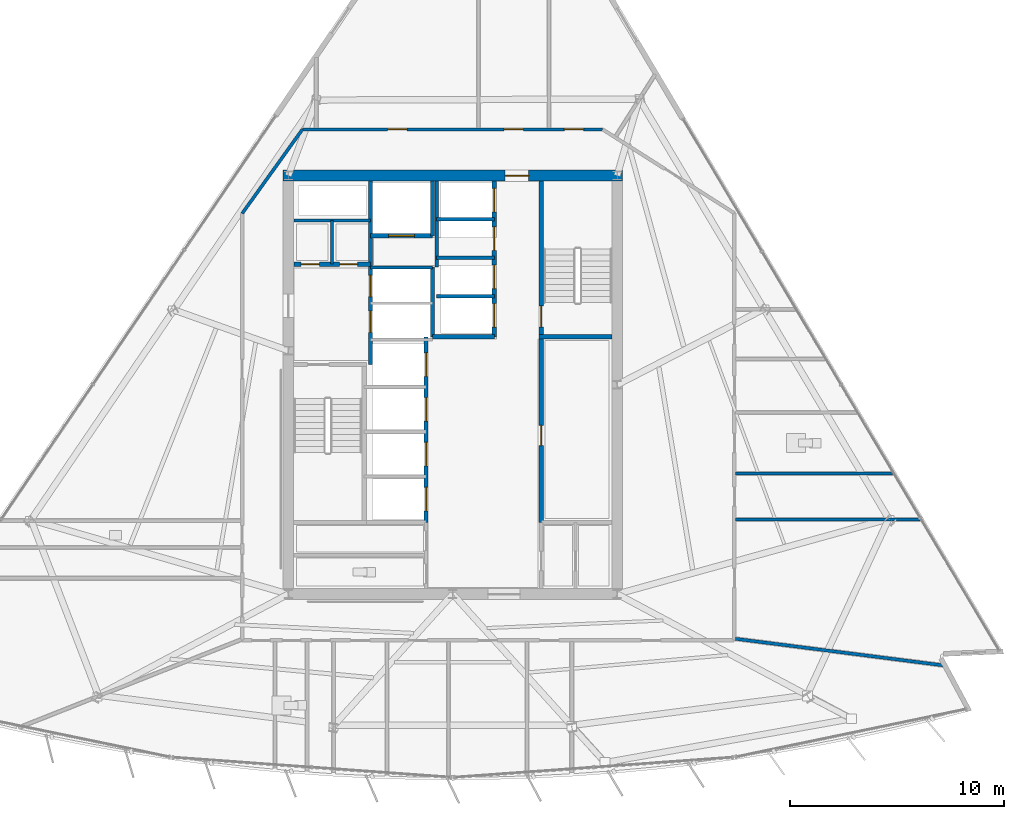
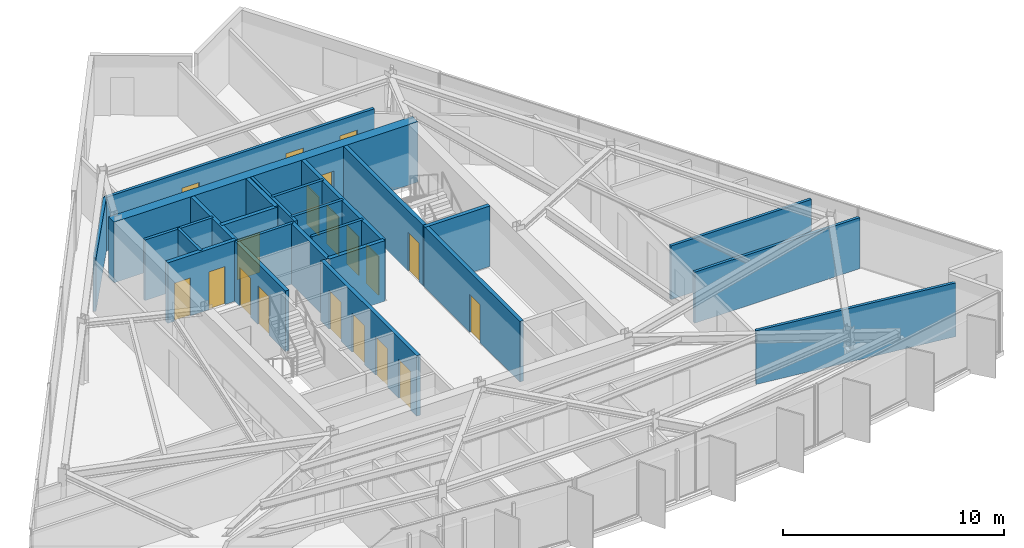
# One storey, part 9 of 15: 24 walls, 19 doors, 19 openings.
"""IFC4 building model written with IfcOpenShell, lengths in metres."""

from ifc_helpers import new_model, si_unit, direction, frame, frame_2d, origin, place, context, subcontext, project, spatial, rectangle, extrude, material, layer, layer_set, type_object, element, fill, save


model = new_model("IFC4")

# Units and contexts
model_context = context("Model", 3, precision=1e-05, world=origin(), true_north=direction((0.0, 1.0)))
body_context = subcontext(model_context, "Body", "Model", "MODEL_VIEW")
ifc_project = project(units=[si_unit("LENGTHUNIT", "METRE"), si_unit("AREAUNIT", "SQUARE_METRE"), si_unit("VOLUMEUNIT", "CUBIC_METRE"), si_unit("PLANEANGLEUNIT", "RADIAN"), si_unit("MASSUNIT", "GRAM", prefix="KILO")], contexts=[model_context])

# Site, building, storey
site_placement = place(None, origin())
site = spatial("IfcSite", under=ifc_project, at=site_placement, CompositionType="ELEMENT")
building_placement = place(site_placement, origin())
building = spatial("IfcBuilding", under=site, at=building_placement, Name="Savorim Split Tower", CompositionType="ELEMENT")
storey_placement = place(building_placement, frame((0.0, 0.0, 212.699951171875)))
storey = spatial("IfcBuildingStorey", under=building, at=storey_placement, Name="L56", CompositionType="ELEMENT", Elevation=212.699951171875)

# Wall, opening, door
ifc_material_1 = material(Name="Concrete C60/75", Category="concrete")
ifc_layer_1 = layer(ifc_material_1, 0.5)
ifc_layer_set_1 = layer_set([ifc_layer_1], Name="WAL-COR-SH500")
wall_type_1 = type_object("IfcWallType", Name="WAL-COR-SH500", PredefinedType="SHEAR", material=ifc_layer_set_1)
wall_1_placement = place(storey_placement, frame((7.949951171875, 10.199951171875, 0.0), z_axis=(0.0, 0.0, 1.0), x_axis=(-1.0, 0.0, 0.0)))
wall_1 = element("IfcWall", 1, at=wall_1_placement, inside=storey, type_object=wall_type_1, Name="L56 Offset Core North Shear Wall", PredefinedType="SHEAR", context=body_context, shape_type="SweptSolid", body=[
    extrude(rectangle(XDim=15.89990234375, YDim=0.5, at=frame_2d((7.949951171875, 0.0))), origin(), (0.0, 0.0, 1.0), 3.35009765625),
])
opening_1_placement = place(wall_1_placement, frame((4.39990234375, 0.0, 0.0)))
opening_1 = element("IfcOpeningElement", 2, at=opening_1_placement, cuts=wall_1, Name="Opening DI-03", PredefinedType="OPENING", context=body_context, shape_type="SweptSolid", body=[
    extrude(rectangle(XDim=1.10009765625, YDim=2.14990234375, at=frame_2d((0.550048828125, 1.074951171875))), frame((0.0, 0.260009765625, 0.0), z_axis=(0.0, -1.0, 0.0), x_axis=(1.0, 0.0, 0.0)), (0.0, 0.0, 1.0), 0.52001953125),
])
ifc_material_2 = material(Name="Timber Fire Door Leaf", Category="wood")
door_type_1 = type_object("IfcDoorType", Name="DOR-FIR-1100", OperationType="NOTDEFINED", PredefinedType="DOOR", material=ifc_material_2)
door_1_placement = place(opening_1_placement, origin())
door_1 = element("IfcDoor", 3, at=door_1_placement, inside=storey, type_object=door_type_1, Name="DOR-L56-COR-NLOB - L56 North Corridor Lobby Fire Door", OperationType="SINGLE_SWING_LEFT", OverallHeight=2.14990234375, OverallWidth=1.10009765625, PredefinedType="DOOR", context=body_context, shape_type="SweptSolid", body=[
    extrude(rectangle(XDim=1.10009765625, YDim=2.14990234375, at=frame_2d((0.550048828125, 1.074951171875))), frame((0.0, 0.02490234375, 0.0), z_axis=(0.0, -1.0, 0.0), x_axis=(1.0, 0.0, 0.0)), (0.0, 0.0, 1.0), 0.050048828125),
])
fill(opening_1, door_1)

# Wall, openings, doors
ifc_material_3 = material(Name="Concrete C50/60", Category="concrete")
ifc_layer_2 = layer(ifc_material_3, 0.199951171875)
ifc_layer_set_2 = layer_set([ifc_layer_2], Name="WAL-INT-RC200")
wall_type_2 = type_object("IfcWallType", Name="WAL-INT-RC200", PredefinedType="SOLIDWALL", material=ifc_layer_set_2)
wall_2_placement = place(storey_placement, frame((-3.85009765625, 1.35009765625, 0.0), z_axis=(0.0, 0.0, 1.0), x_axis=(0.0, 1.0, 0.0)))
wall_2 = element("IfcWall", 4, at=wall_2_placement, inside=storey, type_object=wall_type_2, Name="L56 Partition W-L56-CR03", PredefinedType="SOLIDWALL", context=body_context, shape_type="SweptSolid", body=[
    extrude(rectangle(XDim=8.594970703125, YDim=0.199951171875, at=frame_2d((4.29736328125, 0.0))), origin(), (0.0, 0.0, 1.0), 3.35009765625),
])
opening_2_placement = place(wall_2_placement, frame((1.5, 0.0, 0.0)))
opening_2 = element("IfcOpeningElement", 5, at=opening_2_placement, cuts=wall_2, Name="Opening LD-FFL", PredefinedType="OPENING", context=body_context, shape_type="SweptSolid", body=[
    extrude(rectangle(XDim=1.0, YDim=2.14990234375, at=frame_2d((0.5, 1.074951171875))), frame((0.0, 0.10986328125, 0.0), z_axis=(0.0, -1.0, 0.0), x_axis=(1.0, 0.0, 0.0)), (0.0, 0.0, 1.0), 0.219970703125),
])
opening_3_placement = place(wall_2_placement, frame((3.179931640625, 0.0, 0.0)))
opening_3 = element("IfcOpeningElement", 6, at=opening_3_placement, cuts=wall_2, Name="Opening LD-FFL", PredefinedType="OPENING", context=body_context, shape_type="SweptSolid", body=[
    extrude(rectangle(XDim=1.0, YDim=2.14990234375, at=frame_2d((0.5, 1.074951171875))), frame((0.0, 0.10986328125, 0.0), z_axis=(0.0, -1.0, 0.0), x_axis=(1.0, 0.0, 0.0)), (0.0, 0.0, 1.0), 0.219970703125),
])
ifc_material_4 = material(Name="Charcoal Anodised Aluminium", Category="aluminium")
door_type_2 = type_object("IfcDoorType", Name="DOR-SLD-LD1000", OperationType="NOTDEFINED", PredefinedType="DOOR", material=ifc_material_4)
door_2_placement = place(opening_2_placement, origin())
door_2 = element("IfcDoor", 7, at=door_2_placement, inside=storey, type_object=door_type_2, Name="DR-L56-LD-FFL1 - L56 Firefighting Lift FFL-1 Sliding Landing Door", OperationType="DOUBLE_DOOR_SLIDING", OverallHeight=2.14990234375, OverallWidth=1.0, PredefinedType="DOOR", context=body_context, shape_type="SweptSolid", body=[
    extrude(rectangle(XDim=1.0, YDim=2.14990234375, at=frame_2d((0.5, 1.074951171875))), frame((0.0, 0.02490234375, 0.0), z_axis=(0.0, -1.0, 0.0), x_axis=(1.0, 0.0, 0.0)), (0.0, 0.0, 1.0), 0.050048828125),
])
fill(opening_2, door_2)
door_3_placement = place(opening_3_placement, origin())
door_3 = element("IfcDoor", 8, at=door_3_placement, inside=storey, type_object=door_type_2, Name="DR-L56-LD-FFL2 - L56 Firefighting Lift FFL-2 Sliding Landing Door", OperationType="DOUBLE_DOOR_SLIDING", OverallHeight=2.14990234375, OverallWidth=1.0, PredefinedType="DOOR", context=body_context, shape_type="SweptSolid", body=[
    extrude(rectangle(XDim=1.0, YDim=2.14990234375, at=frame_2d((0.5, 1.074951171875))), frame((0.0, 0.02490234375, 0.0), z_axis=(0.0, -1.0, 0.0), x_axis=(1.0, 0.0, 0.0)), (0.0, 0.0, 1.0), 0.050048828125),
])
fill(opening_3, door_3)

wall_3_placement = place(storey_placement, frame((-7.445068359375, 6.050048828125, 0.0), z_axis=(0.0, 0.0, 1.0), x_axis=(1.0, 0.0, 0.0)))
wall_3 = element("IfcWall", 9, at=wall_3_placement, inside=storey, type_object=wall_type_2, Name="L56 Partition W-L56-CR04", PredefinedType="SOLIDWALL", context=body_context, shape_type="SweptSolid", body=[
    extrude(rectangle(XDim=3.594970703125, YDim=0.199951171875, at=frame_2d((1.79736328125, 0.0))), origin(), (0.0, 0.0, 1.0), 3.35009765625),
])
opening_4_placement = place(wall_3_placement, frame((0.344970703125, 0.0, 0.0)))
opening_4 = element("IfcOpeningElement", 10, at=opening_4_placement, cuts=wall_3, Name="Opening DI-12", PredefinedType="OPENING", context=body_context, shape_type="SweptSolid", body=[
    extrude(rectangle(XDim=0.85009765625, YDim=2.10009765625, at=frame_2d((0.425048828125, 1.050048828125))), frame((0.0, 0.10986328125, 0.0), z_axis=(0.0, -1.0, 0.0), x_axis=(1.0, 0.0, 0.0)), (0.0, 0.0, 1.0), 0.219970703125),
])
opening_5_placement = place(wall_3_placement, frame((2.14501953125, 0.0, 0.0)))
opening_5 = element("IfcOpeningElement", 11, at=opening_5_placement, cuts=wall_3, Name="Opening DI-12", PredefinedType="OPENING", context=body_context, shape_type="SweptSolid", body=[
    extrude(rectangle(XDim=0.85009765625, YDim=2.10009765625, at=frame_2d((0.425048828125, 1.050048828125))), frame((0.0, 0.10986328125, 0.0), z_axis=(0.0, -1.0, 0.0), x_axis=(1.0, 0.0, 0.0)), (0.0, 0.0, 1.0), 0.219970703125),
])
ifc_material_5 = material(Name="Galvanised Painted Steel Balustrade", Category="steel")
door_type_3 = type_object("IfcDoorType", Name="DOR-RIS-850", OperationType="NOTDEFINED", PredefinedType="DOOR", material=ifc_material_5)
door_4_placement = place(opening_4_placement, origin())
door_4 = element("IfcDoor", 12, at=door_4_placement, inside=storey, type_object=door_type_3, Name="DR-L56-ELR - L56 Electrical Riser Access Door", OperationType="SINGLE_SWING_RIGHT", OverallHeight=2.10009765625, OverallWidth=0.85009765625, PredefinedType="DOOR", context=body_context, shape_type="SweptSolid", body=[
    extrude(rectangle(XDim=0.85009765625, YDim=2.10009765625, at=frame_2d((0.425048828125, 1.050048828125))), frame((0.0, 0.02490234375, 0.0), z_axis=(0.0, -1.0, 0.0), x_axis=(1.0, 0.0, 0.0)), (0.0, 0.0, 1.0), 0.050048828125),
])
fill(opening_4, door_4)
door_5_placement = place(opening_5_placement, origin())
door_5 = element("IfcDoor", 13, at=door_5_placement, inside=storey, type_object=door_type_3, Name="DR-L56-TLR - L56 Telecom Riser Access Door", OperationType="SINGLE_SWING_LEFT", OverallHeight=2.10009765625, OverallWidth=0.85009765625, PredefinedType="DOOR", context=body_context, shape_type="SweptSolid", body=[
    extrude(rectangle(XDim=0.85009765625, YDim=2.10009765625, at=frame_2d((0.425048828125, 1.050048828125))), frame((0.0, 0.02490234375, 0.0), z_axis=(0.0, -1.0, 0.0), x_axis=(1.0, 0.0, 0.0)), (0.0, 0.0, 1.0), 0.050048828125),
])
fill(opening_5, door_5)

# Wall, opening, door
wall_4_placement = place(storey_placement, frame((4.14990234375, 2.75, 0.0), z_axis=(0.0, 0.0, 1.0), x_axis=(0.0, 1.0, 0.0)))
wall_4 = element("IfcWall", 14, at=wall_4_placement, inside=storey, type_object=wall_type_2, Name="L56 Structural Shaft Wall W-L56-CR07", PredefinedType="SOLIDWALL", context=body_context, shape_type="SweptSolid", body=[
    extrude(rectangle(XDim=7.199951171875, YDim=0.199951171875, at=frame_2d((3.60009765625, 0.0))), origin(), (0.0, 0.0, 1.0), 3.35009765625),
])
opening_6_placement = place(wall_4_placement, frame((0.35009765625, 0.0, 0.0)))
opening_6 = element("IfcOpeningElement", 15, at=opening_6_placement, cuts=wall_4, Name="Opening DI-04", PredefinedType="OPENING", context=body_context, shape_type="SweptSolid", body=[
    extrude(rectangle(XDim=1.0, YDim=2.14990234375, at=frame_2d((0.5, 1.074951171875))), frame((0.0, 0.10986328125, 0.0), z_axis=(0.0, -1.0, 0.0), x_axis=(1.0, 0.0, 0.0)), (0.0, 0.0, 1.0), 0.219970703125),
])
door_type_4 = type_object("IfcDoorType", Name="DOR-FIR-1000", OperationType="NOTDEFINED", PredefinedType="DOOR", material=ifc_material_2)
door_6_placement = place(opening_6_placement, origin())
door_6 = element("IfcDoor", 16, at=door_6_placement, inside=storey, type_object=door_type_4, Name="DR-L56-ST2 - L56 Stair ST-2 Enclosure Door", OperationType="SINGLE_SWING_RIGHT", OverallHeight=2.14990234375, OverallWidth=1.0, PredefinedType="DOOR", context=body_context, shape_type="SweptSolid", body=[
    extrude(rectangle(XDim=1.0, YDim=2.14990234375, at=frame_2d((0.5, 1.074951171875))), frame((0.0, 0.02490234375, 0.0), z_axis=(0.0, -1.0, 0.0), x_axis=(1.0, 0.0, 0.0)), (0.0, 0.0, 1.0), 0.050048828125),
])
fill(opening_6, door_6)

# Walls
wall_5_placement = place(storey_placement, frame((4.050048828125, 2.64990234375, 0.0), z_axis=(0.0, 0.0, 1.0), x_axis=(1.0, 0.0, 0.0)))
element("IfcWall", 17, at=wall_5_placement, inside=storey, type_object=wall_type_2, Name="L56 Structural Shaft Wall W-L56-CR08", PredefinedType="SOLIDWALL", context=body_context, shape_type="SweptSolid", body=[
    extrude(rectangle(XDim=3.39990234375, YDim=0.199951171875, at=frame_2d((1.699951171875, 0.0))), origin(), (0.0, 0.0, 1.0), 3.35009765625),
])
wall_6_placement = place(storey_placement, frame((-0.949951171875, 2.64990234375, 0.0), z_axis=(0.0, 0.0, 1.0), x_axis=(0.0, 1.0, 0.0)))
element("IfcWall", 18, at=wall_6_placement, inside=storey, type_object=wall_type_2, Name="L56 Partition W-L56-FFLW", PredefinedType="SOLIDWALL", context=body_context, shape_type="SweptSolid", body=[
    extrude(rectangle(XDim=3.27001953125, YDim=0.199951171875, at=frame_2d((1.635009765625, 0.0))), origin(), (0.0, 0.0, 1.0), 3.35009765625),
])

# Wall, opening, door
wall_7_placement = place(storey_placement, frame((-3.85009765625, 7.3798828125, 0.0), z_axis=(0.0, 0.0, 1.0), x_axis=(1.0, 0.0, 0.0)))
wall_7 = element("IfcWall", 19, at=wall_7_placement, inside=storey, type_object=wall_type_2, Name="L56 Partition W-L56-SVLS", PredefinedType="SOLIDWALL", context=body_context, shape_type="SweptSolid", body=[
    extrude(rectangle(XDim=2.900146484375, YDim=0.199951171875, at=frame_2d((1.4501953125, 0.0))), origin(), (0.0, 0.0, 1.0), 3.35009765625),
])
opening_7_placement = place(wall_7_placement, frame((0.85009765625, 0.0, 0.0)))
opening_7 = element("IfcOpeningElement", 20, at=opening_7_placement, cuts=wall_7, Name="Opening LD-SV", PredefinedType="OPENING", context=body_context, shape_type="SweptSolid", body=[
    extrude(rectangle(XDim=1.199951171875, YDim=2.199951171875, at=frame_2d((0.60009765625, 1.10009765625))), frame((0.0, 0.10986328125, 0.0), z_axis=(0.0, -1.0, 0.0), x_axis=(1.0, 0.0, 0.0)), (0.0, 0.0, 1.0), 0.219970703125),
])
door_type_5 = type_object("IfcDoorType", Name="DOR-SLD-SV1200", OperationType="NOTDEFINED", PredefinedType="DOOR", material=ifc_material_4)
door_7_placement = place(opening_7_placement, origin())
door_7 = element("IfcDoor", 21, at=door_7_placement, inside=storey, type_object=door_type_5, Name="DR-L56-LD-SVL1 - L56 Service Lift SVL-1 Sliding Landing Door", OperationType="DOUBLE_DOOR_SLIDING", OverallHeight=2.199951171875, OverallWidth=1.199951171875, PredefinedType="DOOR", context=body_context, shape_type="SweptSolid", body=[
    extrude(rectangle(XDim=1.199951171875, YDim=2.199951171875, at=frame_2d((0.60009765625, 1.10009765625))), frame((0.0, 0.02490234375, 0.0), z_axis=(0.0, -1.0, 0.0), x_axis=(1.0, 0.0, 0.0)), (0.0, 0.0, 1.0), 0.050048828125),
])
fill(opening_7, door_7)

# Wall
wall_8_placement = place(storey_placement, frame((-0.949951171875, 7.3798828125, 0.0), z_axis=(0.0, 0.0, 1.0), x_axis=(0.0, 1.0, 0.0)))
element("IfcWall", 22, at=wall_8_placement, inside=storey, type_object=wall_type_2, Name="L56 Partition W-L56-SVLE", PredefinedType="SOLIDWALL", context=body_context, shape_type="SweptSolid", body=[
    extrude(rectangle(XDim=2.565185546875, YDim=0.199951171875, at=frame_2d((1.28271484375, 0.0))), origin(), (0.0, 0.0, 1.0), 3.35009765625),
])

# Wall, opening, door
wall_9_placement = place(storey_placement, frame((4.14990234375, -6.050048828125, 0.0), z_axis=(0.0, 0.0, 1.0), x_axis=(0.0, 1.0, 0.0)))
wall_9 = element("IfcWall", 23, at=wall_9_placement, inside=storey, type_object=wall_type_2, Name="L56 Partition W-L56-B1FRONT", PredefinedType="SOLIDWALL", context=body_context, shape_type="SweptSolid", body=[
    extrude(rectangle(XDim=8.699951171875, YDim=0.199951171875, at=frame_2d((4.35009765625, 0.0))), origin(), (0.0, 0.0, 1.0), 3.35009765625),
])
opening_8_placement = place(wall_9_placement, frame((3.60009765625, 0.0, 0.0)))
opening_8 = element("IfcOpeningElement", 24, at=opening_8_placement, cuts=wall_9, Name="Opening DI-05", PredefinedType="OPENING", context=body_context, shape_type="SweptSolid", body=[
    extrude(rectangle(XDim=0.949951171875, YDim=2.10009765625, at=frame_2d((0.47509765625, 1.050048828125))), frame((0.0, 0.10986328125, 0.0), z_axis=(0.0, -1.0, 0.0), x_axis=(1.0, 0.0, 0.0)), (0.0, 0.0, 1.0), 0.219970703125),
])
door_type_6 = type_object("IfcDoorType", Name="DOR-FIR-950", OperationType="NOTDEFINED", PredefinedType="DOOR", material=ifc_material_2)
door_8_placement = place(opening_8_placement, origin())
door_8 = element("IfcDoor", 25, at=door_8_placement, inside=storey, type_object=door_type_6, Name="DR-L56-LV7B1 - L56 Shared Pantry and Linen Room Door", OperationType="SINGLE_SWING_RIGHT", OverallHeight=2.10009765625, OverallWidth=0.949951171875, PredefinedType="DOOR", context=body_context, shape_type="SweptSolid", body=[
    extrude(rectangle(XDim=0.949951171875, YDim=2.10009765625, at=frame_2d((0.47509765625, 1.050048828125))), frame((0.0, 0.02490234375, 0.0), z_axis=(0.0, -1.0, 0.0), x_axis=(1.0, 0.0, 0.0)), (0.0, 0.0, 1.0), 0.050048828125),
])
fill(opening_8, door_8)

# Wall, openings, doors
wall_10_placement = place(storey_placement, frame((-1.25, -6.050048828125, 0.0), z_axis=(0.0, 0.0, 1.0), x_axis=(0.0, 1.0, 0.0)))
wall_10 = element("IfcWall", 26, at=wall_10_placement, inside=storey, type_object=wall_type_2, Name="L56 Partition W-L56-B2FRONT", PredefinedType="SOLIDWALL", context=body_context, shape_type="SweptSolid", body=[
    extrude(rectangle(XDim=8.699951171875, YDim=0.199951171875, at=frame_2d((4.35009765625, 0.0))), origin(), (0.0, 0.0, 1.0), 3.35009765625),
])
opening_9_placement = place(wall_10_placement, frame((0.550048828125, 0.0, 0.0)))
opening_9 = element("IfcOpeningElement", 27, at=opening_9_placement, cuts=wall_10, Name="Opening LD-02", PredefinedType="OPENING", context=body_context, shape_type="SweptSolid", body=[
    extrude(rectangle(XDim=1.10009765625, YDim=2.14990234375, at=frame_2d((0.550048828125, 1.074951171875))), frame((0.0, 0.10986328125, 0.0), z_axis=(0.0, -1.0, 0.0), x_axis=(1.0, 0.0, 0.0)), (0.0, 0.0, 1.0), 0.219970703125),
])
opening_10_placement = place(wall_10_placement, frame((2.64990234375, 0.0, 0.0)))
opening_10 = element("IfcOpeningElement", 28, at=opening_10_placement, cuts=wall_10, Name="Opening LD-02", PredefinedType="OPENING", context=body_context, shape_type="SweptSolid", body=[
    extrude(rectangle(XDim=1.10009765625, YDim=2.14990234375, at=frame_2d((0.550048828125, 1.074951171875))), frame((0.0, 0.10986328125, 0.0), z_axis=(0.0, -1.0, 0.0), x_axis=(1.0, 0.0, 0.0)), (0.0, 0.0, 1.0), 0.219970703125),
])
opening_11_placement = place(wall_10_placement, frame((4.75, 0.0, 0.0)))
opening_11 = element("IfcOpeningElement", 29, at=opening_11_placement, cuts=wall_10, Name="Opening LD-02", PredefinedType="OPENING", context=body_context, shape_type="SweptSolid", body=[
    extrude(rectangle(XDim=1.10009765625, YDim=2.14990234375, at=frame_2d((0.550048828125, 1.074951171875))), frame((0.0, 0.10986328125, 0.0), z_axis=(0.0, -1.0, 0.0), x_axis=(1.0, 0.0, 0.0)), (0.0, 0.0, 1.0), 0.219970703125),
])
opening_12_placement = place(wall_10_placement, frame((6.85009765625, 0.0, 0.0)))
opening_12 = element("IfcOpeningElement", 30, at=opening_12_placement, cuts=wall_10, Name="Opening LD-02", PredefinedType="OPENING", context=body_context, shape_type="SweptSolid", body=[
    extrude(rectangle(XDim=1.10009765625, YDim=2.14990234375, at=frame_2d((0.550048828125, 1.074951171875))), frame((0.0, 0.10986328125, 0.0), z_axis=(0.0, -1.0, 0.0), x_axis=(1.0, 0.0, 0.0)), (0.0, 0.0, 1.0), 0.219970703125),
])
door_type_7 = type_object("IfcDoorType", Name="DOR-SLD-LDM1100", OperationType="NOTDEFINED", PredefinedType="DOOR", material=ifc_material_4)
door_9_placement = place(opening_9_placement, origin())
door_9 = element("IfcDoor", 31, at=door_9_placement, inside=storey, type_object=door_type_7, Name="DR-L56-LD-PLM1 - L56 Lift PL-M1 Sliding Landing Door", OperationType="DOUBLE_DOOR_SLIDING", OverallHeight=2.14990234375, OverallWidth=1.10009765625, PredefinedType="DOOR", context=body_context, shape_type="SweptSolid", body=[
    extrude(rectangle(XDim=1.10009765625, YDim=2.14990234375, at=frame_2d((0.550048828125, 1.074951171875))), frame((0.0, 0.02490234375, 0.0), z_axis=(0.0, -1.0, 0.0), x_axis=(1.0, 0.0, 0.0)), (0.0, 0.0, 1.0), 0.050048828125),
])
fill(opening_9, door_9)
door_10_placement = place(opening_10_placement, origin())
door_10 = element("IfcDoor", 32, at=door_10_placement, inside=storey, type_object=door_type_7, Name="DR-L56-LD-PLM2 - L56 Lift PL-M2 Sliding Landing Door", OperationType="DOUBLE_DOOR_SLIDING", OverallHeight=2.14990234375, OverallWidth=1.10009765625, PredefinedType="DOOR", context=body_context, shape_type="SweptSolid", body=[
    extrude(rectangle(XDim=1.10009765625, YDim=2.14990234375, at=frame_2d((0.550048828125, 1.074951171875))), frame((0.0, 0.02490234375, 0.0), z_axis=(0.0, -1.0, 0.0), x_axis=(1.0, 0.0, 0.0)), (0.0, 0.0, 1.0), 0.050048828125),
])
fill(opening_10, door_10)
door_11_placement = place(opening_11_placement, origin())
door_11 = element("IfcDoor", 33, at=door_11_placement, inside=storey, type_object=door_type_7, Name="DR-L56-LD-PLM3 - L56 Lift PL-M3 Sliding Landing Door", OperationType="DOUBLE_DOOR_SLIDING", OverallHeight=2.14990234375, OverallWidth=1.10009765625, PredefinedType="DOOR", context=body_context, shape_type="SweptSolid", body=[
    extrude(rectangle(XDim=1.10009765625, YDim=2.14990234375, at=frame_2d((0.550048828125, 1.074951171875))), frame((0.0, 0.02490234375, 0.0), z_axis=(0.0, -1.0, 0.0), x_axis=(1.0, 0.0, 0.0)), (0.0, 0.0, 1.0), 0.050048828125),
])
fill(opening_11, door_11)
door_12_placement = place(opening_12_placement, origin())
door_12 = element("IfcDoor", 34, at=door_12_placement, inside=storey, type_object=door_type_7, Name="DR-L56-LD-PLM4 - L56 Lift PL-M4 Sliding Landing Door", OperationType="DOUBLE_DOOR_SLIDING", OverallHeight=2.14990234375, OverallWidth=1.10009765625, PredefinedType="DOOR", context=body_context, shape_type="SweptSolid", body=[
    extrude(rectangle(XDim=1.10009765625, YDim=2.14990234375, at=frame_2d((0.550048828125, 1.074951171875))), frame((0.0, 0.02490234375, 0.0), z_axis=(0.0, -1.0, 0.0), x_axis=(1.0, 0.0, 0.0)), (0.0, 0.0, 1.0), 0.050048828125),
])
fill(opening_12, door_12)

wall_11_placement = place(storey_placement, frame((1.949951171875, 2.64990234375, 0.0), z_axis=(0.0, 0.0, 1.0), x_axis=(0.0, 1.0, 0.0)))
wall_11 = element("IfcWall", 35, at=wall_11_placement, inside=storey, type_object=wall_type_2, Name="L56 Partition W-L56-B3FRONT", PredefinedType="SOLIDWALL", context=body_context, shape_type="SweptSolid", body=[
    extrude(rectangle(XDim=7.295166015625, YDim=0.199951171875, at=frame_2d((3.6474609375, 0.0))), origin(), (0.0, 0.0, 1.0), 3.35009765625),
])
opening_13_placement = place(wall_11_placement, frame((0.449951171875, 0.0, 0.0)))
opening_13 = element("IfcOpeningElement", 36, at=opening_13_placement, cuts=wall_11, Name="Opening LD-03", PredefinedType="OPENING", context=body_context, shape_type="SweptSolid", body=[
    extrude(rectangle(XDim=1.10009765625, YDim=2.14990234375, at=frame_2d((0.550048828125, 1.074951171875))), frame((0.0, 0.10986328125, 0.0), z_axis=(0.0, -1.0, 0.0), x_axis=(1.0, 0.0, 0.0)), (0.0, 0.0, 1.0), 0.219970703125),
])
opening_14_placement = place(wall_11_placement, frame((2.25, 0.0, 0.0)))
opening_14 = element("IfcOpeningElement", 37, at=opening_14_placement, cuts=wall_11, Name="Opening LD-03", PredefinedType="OPENING", context=body_context, shape_type="SweptSolid", body=[
    extrude(rectangle(XDim=1.10009765625, YDim=2.14990234375, at=frame_2d((0.550048828125, 1.074951171875))), frame((0.0, 0.10986328125, 0.0), z_axis=(0.0, -1.0, 0.0), x_axis=(1.0, 0.0, 0.0)), (0.0, 0.0, 1.0), 0.219970703125),
])
opening_15_placement = place(wall_11_placement, frame((4.050048828125, 0.0, 0.0)))
opening_15 = element("IfcOpeningElement", 38, at=opening_15_placement, cuts=wall_11, Name="Opening LD-03", PredefinedType="OPENING", context=body_context, shape_type="SweptSolid", body=[
    extrude(rectangle(XDim=1.10009765625, YDim=2.14990234375, at=frame_2d((0.550048828125, 1.074951171875))), frame((0.0, 0.10986328125, 0.0), z_axis=(0.0, -1.0, 0.0), x_axis=(1.0, 0.0, 0.0)), (0.0, 0.0, 1.0), 0.219970703125),
])
opening_16_placement = place(wall_11_placement, frame((5.85009765625, 0.0, 0.0)))
opening_16 = element("IfcOpeningElement", 39, at=opening_16_placement, cuts=wall_11, Name="Opening LD-03", PredefinedType="OPENING", context=body_context, shape_type="SweptSolid", body=[
    extrude(rectangle(XDim=1.10009765625, YDim=2.14990234375, at=frame_2d((0.550048828125, 1.074951171875))), frame((0.0, 0.10986328125, 0.0), z_axis=(0.0, -1.0, 0.0), x_axis=(1.0, 0.0, 0.0)), (0.0, 0.0, 1.0), 0.219970703125),
])
door_type_8 = type_object("IfcDoorType", Name="DOR-SLD-LDH1100", OperationType="NOTDEFINED", PredefinedType="DOOR", material=ifc_material_4)
door_13_placement = place(opening_13_placement, origin())
door_13 = element("IfcDoor", 40, at=door_13_placement, inside=storey, type_object=door_type_8, Name="DR-L56-LD-PLH1 - L56 Lift PL-H1 Sliding Landing Door", OperationType="DOUBLE_DOOR_SLIDING", OverallHeight=2.14990234375, OverallWidth=1.10009765625, PredefinedType="DOOR", context=body_context, shape_type="SweptSolid", body=[
    extrude(rectangle(XDim=1.10009765625, YDim=2.14990234375, at=frame_2d((0.550048828125, 1.074951171875))), frame((0.0, 0.02490234375, 0.0), z_axis=(0.0, -1.0, 0.0), x_axis=(1.0, 0.0, 0.0)), (0.0, 0.0, 1.0), 0.050048828125),
])
fill(opening_13, door_13)
door_14_placement = place(opening_14_placement, origin())
door_14 = element("IfcDoor", 41, at=door_14_placement, inside=storey, type_object=door_type_8, Name="DR-L56-LD-PLH2 - L56 Lift PL-H2 Sliding Landing Door", OperationType="DOUBLE_DOOR_SLIDING", OverallHeight=2.14990234375, OverallWidth=1.10009765625, PredefinedType="DOOR", context=body_context, shape_type="SweptSolid", body=[
    extrude(rectangle(XDim=1.10009765625, YDim=2.14990234375, at=frame_2d((0.550048828125, 1.074951171875))), frame((0.0, 0.02490234375, 0.0), z_axis=(0.0, -1.0, 0.0), x_axis=(1.0, 0.0, 0.0)), (0.0, 0.0, 1.0), 0.050048828125),
])
fill(opening_14, door_14)
door_15_placement = place(opening_15_placement, origin())
door_15 = element("IfcDoor", 42, at=door_15_placement, inside=storey, type_object=door_type_8, Name="DR-L56-LD-PLH3 - L56 Lift PL-H3 Sliding Landing Door", OperationType="DOUBLE_DOOR_SLIDING", OverallHeight=2.14990234375, OverallWidth=1.10009765625, PredefinedType="DOOR", context=body_context, shape_type="SweptSolid", body=[
    extrude(rectangle(XDim=1.10009765625, YDim=2.14990234375, at=frame_2d((0.550048828125, 1.074951171875))), frame((0.0, 0.02490234375, 0.0), z_axis=(0.0, -1.0, 0.0), x_axis=(1.0, 0.0, 0.0)), (0.0, 0.0, 1.0), 0.050048828125),
])
fill(opening_15, door_15)
door_16_placement = place(opening_16_placement, origin())
door_16 = element("IfcDoor", 43, at=door_16_placement, inside=storey, type_object=door_type_8, Name="DR-L56-LD-PLH4 - L56 Lift PL-H4 Sliding Landing Door", OperationType="DOUBLE_DOOR_SLIDING", OverallHeight=2.14990234375, OverallWidth=1.10009765625, PredefinedType="DOOR", context=body_context, shape_type="SweptSolid", body=[
    extrude(rectangle(XDim=1.10009765625, YDim=2.14990234375, at=frame_2d((0.550048828125, 1.074951171875))), frame((0.0, 0.02490234375, 0.0), z_axis=(0.0, -1.0, 0.0), x_axis=(1.0, 0.0, 0.0)), (0.0, 0.0, 1.0), 0.050048828125),
])
fill(opening_16, door_16)

# Walls
wall_12_placement = place(storey_placement, frame((-0.949951171875, 2.64990234375, 0.0), z_axis=(0.0, 0.0, 1.0), x_axis=(1.0, 0.0, 0.0)))
element("IfcWall", 44, at=wall_12_placement, inside=storey, type_object=wall_type_2, Name="L56 Partition W-L56-B3SOUTH", PredefinedType="SOLIDWALL", context=body_context, shape_type="SweptSolid", body=[
    extrude(rectangle(XDim=2.89990234375, YDim=0.199951171875, at=frame_2d((1.449951171875, 0.0))), origin(), (0.0, 0.0, 1.0), 3.35009765625),
])
ifc_material_6 = material(Name="Acoustic Gypsum Partition Board")
ifc_layer_3 = layer(ifc_material_6, 0.14990234375)
ifc_layer_set_3 = layer_set([ifc_layer_3], Name="WAL-PAR-150")
wall_type_3 = type_object("IfcWallType", Name="WAL-PAR-150", PredefinedType="PARTITIONING", material=ifc_layer_set_3)
wall_13_placement = place(storey_placement, frame((-7.445068359375, 8.10009765625, 0.0), z_axis=(0.0, 0.0, 1.0), x_axis=(1.0, 0.0, 0.0)))
element("IfcWall", 45, at=wall_13_placement, inside=storey, type_object=wall_type_3, Name="L56 Partition W-L56-CR05", PredefinedType="PARTITIONING", context=body_context, shape_type="SweptSolid", body=[
    extrude(rectangle(XDim=3.594970703125, YDim=0.14990234375, at=frame_2d((1.79736328125, 0.0))), origin(), (0.0, 0.0, 1.0), 3.35009765625),
])
wall_14_placement = place(storey_placement, frame((-5.64990234375, 6.050048828125, 0.0), z_axis=(0.0, 0.0, 1.0), x_axis=(0.0, 1.0, 0.0)))
element("IfcWall", 46, at=wall_14_placement, inside=storey, type_object=wall_type_3, Name="L56 Partition W-L56-CR06", PredefinedType="PARTITIONING", context=body_context, shape_type="SweptSolid", body=[
    extrude(rectangle(XDim=2.050048828125, YDim=0.14990234375, at=frame_2d((1.02490234375, 0.0))), origin(), (0.0, 0.0, 1.0), 3.35009765625),
])
wall_15_placement = place(storey_placement, frame((-3.85009765625, 5.89990234375, 0.0), z_axis=(0.0, 0.0, 1.0), x_axis=(1.0, 0.0, 0.0)))
element("IfcWall", 47, at=wall_15_placement, inside=storey, type_object=wall_type_3, Name="L56 Partition W-L56-FFLD2", PredefinedType="PARTITIONING", context=body_context, shape_type="SweptSolid", body=[
    extrude(rectangle(XDim=2.900146484375, YDim=0.14990234375, at=frame_2d((1.4501953125, 0.0))), origin(), (0.0, 0.0, 1.0), 3.35009765625),
])
wall_16_placement = place(storey_placement, frame((-0.75, 5.919921875, 0.0), z_axis=(0.0, 0.0, 1.0), x_axis=(0.0, 1.0, 0.0)))
element("IfcWall", 48, at=wall_16_placement, inside=storey, type_object=wall_type_3, Name="L56 Partition W-L56-B3WEST", PredefinedType="PARTITIONING", context=body_context, shape_type="SweptSolid", body=[
    extrude(rectangle(XDim=4.025146484375, YDim=0.14990234375, at=frame_2d((2.0126953125, 0.0))), origin(), (0.0, 0.0, 1.0), 3.35009765625),
])
for number, where, z_axis, x_axis, name in (
    (49, (-0.75, 4.550048828125, 0.0), (0.0, 0.0, 1.0), (1.0, 0.0, 0.0), "L56 Partition W-L56-B3DIV1"),
    (50, (-0.75, 6.35009765625, 0.0), (0.0, 0.0, 1.0), (1.0, 0.0, 0.0), "L56 Partition W-L56-B3DIV2"),
    (51, (-0.75, 8.14990234375, 0.0), (0.0, 0.0, 1.0), (1.0, 0.0, 0.0), "L56 Partition W-L56-B3DIV3"),
):
    element("IfcWall", number, at=place(storey_placement, frame(where, z_axis=z_axis, x_axis=x_axis)), inside=storey, type_object=wall_type_3, Name=name, PredefinedType="PARTITIONING", context=body_context, shape_type="SweptSolid", body=[
        extrude(rectangle(XDim=2.699951171875, YDim=0.14990234375, at=frame_2d((1.35009765625, 0.0))), origin(), (0.0, 0.0, 1.0), 3.35009765625),
    ])
wall_17_placement = place(storey_placement, frame((-9.860107421875, 8.42578125, 0.0), z_axis=(0.0, 0.0, 1.0), x_axis=(0.582449511476, 0.812866881218, 0.0)))
element("IfcWall", 52, at=wall_17_placement, inside=storey, type_object=wall_type_3, Name="L56 Partition W-L56-COR-02", PredefinedType="PARTITIONING", context=body_context, shape_type="SweptSolid", body=[
    extrude(rectangle(XDim=4.840087890625, YDim=0.14990234375, at=frame_2d((2.419921875, 0.0))), origin(), (0.0, 0.0, 1.0), 2.97509765625),
])

# Wall, openings, doors
wall_18_placement = place(storey_placement, frame((-7.041015625, 12.360107421875, 0.0), z_axis=(0.0, 0.0, 1.0), x_axis=(1.0, 0.0, 0.0)))
wall_18 = element("IfcWall", 53, at=wall_18_placement, inside=storey, type_object=wall_type_3, Name="L56 Partition W-L56-COR-03", PredefinedType="PARTITIONING", context=body_context, shape_type="SweptSolid", body=[
    extrude(rectangle(XDim=14.064208984375, YDim=0.14990234375, at=frame_2d((7.0322265625, 0.0))), origin(), (0.0, 0.0, 1.0), 2.97509765625),
])
opening_17_placement = place(wall_18_placement, frame((12.267578125, 0.0, 0.0)))
opening_17 = element("IfcOpeningElement", 54, at=opening_17_placement, cuts=wall_18, Name="Opening DI-06", PredefinedType="OPENING", context=body_context, shape_type="SweptSolid", body=[
    extrude(rectangle(XDim=0.89990234375, YDim=2.10009765625, at=frame_2d((0.449951171875, 1.050048828125))), frame((0.0, 0.0849609375, 0.0), z_axis=(0.0, -1.0, 0.0), x_axis=(1.0, 0.0, 0.0)), (0.0, 0.0, 1.0), 0.169921875),
])
opening_18_placement = place(wall_18_placement, frame((9.446533203125, 0.0, 0.0)))
opening_18 = element("IfcOpeningElement", 55, at=opening_18_placement, cuts=wall_18, Name="Opening DI-06", PredefinedType="OPENING", context=body_context, shape_type="SweptSolid", body=[
    extrude(rectangle(XDim=0.89990234375, YDim=2.10009765625, at=frame_2d((0.449951171875, 1.050048828125))), frame((0.0, 0.0849609375, 0.0), z_axis=(0.0, -1.0, 0.0), x_axis=(1.0, 0.0, 0.0)), (0.0, 0.0, 1.0), 0.169921875),
])
opening_19_placement = place(wall_18_placement, frame((3.99658203125, 0.0, 0.0)))
opening_19 = element("IfcOpeningElement", 56, at=opening_19_placement, cuts=wall_18, Name="Opening DI-06", PredefinedType="OPENING", context=body_context, shape_type="SweptSolid", body=[
    extrude(rectangle(XDim=0.89990234375, YDim=2.10009765625, at=frame_2d((0.449951171875, 1.050048828125))), frame((0.0, 0.0849609375, 0.0), z_axis=(0.0, -1.0, 0.0), x_axis=(1.0, 0.0, 0.0)), (0.0, 0.0, 1.0), 0.169921875),
])
door_type_9 = type_object("IfcDoorType", Name="DOR-FIR-900", OperationType="NOTDEFINED", PredefinedType="DOOR", material=ifc_material_2)
door_17_placement = place(opening_17_placement, origin())
door_17 = element("IfcDoor", 57, at=door_17_placement, inside=storey, type_object=door_type_9, Name="DR-L56-RM18 - L56 Co-Working Commons Entry Door", OperationType="SINGLE_SWING_LEFT", OverallHeight=2.10009765625, OverallWidth=0.89990234375, PredefinedType="DOOR", context=body_context, shape_type="SweptSolid", body=[
    extrude(rectangle(XDim=0.89990234375, YDim=2.10009765625, at=frame_2d((0.449951171875, 1.050048828125))), frame((0.0, 0.02490234375, 0.0), z_axis=(0.0, -1.0, 0.0), x_axis=(1.0, 0.0, 0.0)), (0.0, 0.0, 1.0), 0.050048828125),
])
fill(opening_17, door_17)
door_18_placement = place(opening_18_placement, origin())
door_18 = element("IfcDoor", 58, at=door_18_placement, inside=storey, type_object=door_type_9, Name="DR-L56-RM19 - L56 Co-Working Commons Entry Door", OperationType="SINGLE_SWING_RIGHT", OverallHeight=2.10009765625, OverallWidth=0.89990234375, PredefinedType="DOOR", context=body_context, shape_type="SweptSolid", body=[
    extrude(rectangle(XDim=0.89990234375, YDim=2.10009765625, at=frame_2d((0.449951171875, 1.050048828125))), frame((0.0, 0.02490234375, 0.0), z_axis=(0.0, -1.0, 0.0), x_axis=(1.0, 0.0, 0.0)), (0.0, 0.0, 1.0), 0.050048828125),
])
fill(opening_18, door_18)
door_19_placement = place(opening_19_placement, origin())
door_19 = element("IfcDoor", 59, at=door_19_placement, inside=storey, type_object=door_type_9, Name="DR-L56-RM20 - L56 Co-Working Commons Entry Door", OperationType="SINGLE_SWING_LEFT", OverallHeight=2.10009765625, OverallWidth=0.89990234375, PredefinedType="DOOR", context=body_context, shape_type="SweptSolid", body=[
    extrude(rectangle(XDim=0.89990234375, YDim=2.10009765625, at=frame_2d((0.449951171875, 1.050048828125))), frame((0.0, 0.02490234375, 0.0), z_axis=(0.0, -1.0, 0.0), x_axis=(1.0, 0.0, 0.0)), (0.0, 0.0, 1.0), 0.050048828125),
])
fill(opening_19, door_19)

# Walls
wall_19_placement = place(storey_placement, frame((13.239990234375, -5.9130859375, 0.0), z_axis=(0.0, 0.0, 1.0), x_axis=(1.0, 0.0, 0.0)))
element("IfcWall", 60, at=wall_19_placement, inside=storey, type_object=wall_type_3, Name="L56 Partition W-L56-PRAD05", PredefinedType="PARTITIONING", context=body_context, shape_type="SweptSolid", body=[
    extrude(rectangle(XDim=8.640380859375, YDim=0.14990234375, at=frame_2d((4.3203125, 0.0))), origin(), (0.0, 0.0, 1.0), 2.824951171875),
])
wall_20_placement = place(storey_placement, frame((13.239013671875, -11.49365234375, 0.0), z_axis=(0.0, 0.0, 1.0), x_axis=(0.991917142895, -0.126887279232, 0.0)))
element("IfcWall", 61, at=wall_20_placement, inside=storey, type_object=wall_type_3, Name="L56 Partition W-L56-SUB10", PredefinedType="PARTITIONING", context=body_context, shape_type="SweptSolid", body=[
    extrude(rectangle(XDim=9.826171875, YDim=0.14990234375, at=frame_2d((4.9130859375, 0.0))), origin(), (0.0, 0.0, 1.0), 2.97509765625),
])
wall_21_placement = place(storey_placement, frame((13.239990234375, -3.759765625, 0.0), z_axis=(0.0, 0.0, 1.0), x_axis=(1.0, 0.0, 0.0)))
element("IfcWall", 62, at=wall_21_placement, inside=storey, type_object=wall_type_3, Name="L56 Partition W-L56-SUB11", PredefinedType="PARTITIONING", context=body_context, shape_type="SweptSolid", body=[
    extrude(rectangle(XDim=7.35986328125, YDim=0.14990234375, at=frame_2d((3.679931640625, 0.0))), origin(), (0.0, 0.0, 1.0), 2.97509765625),
])

save(model, "model.ifc")
